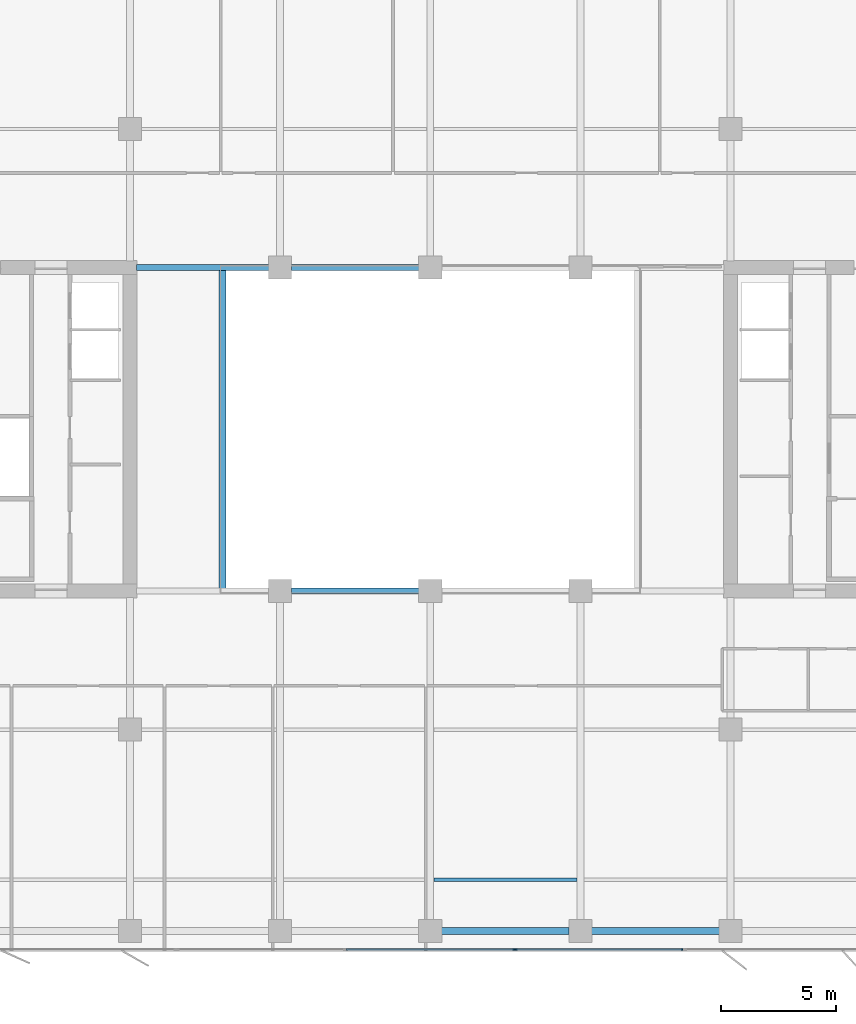
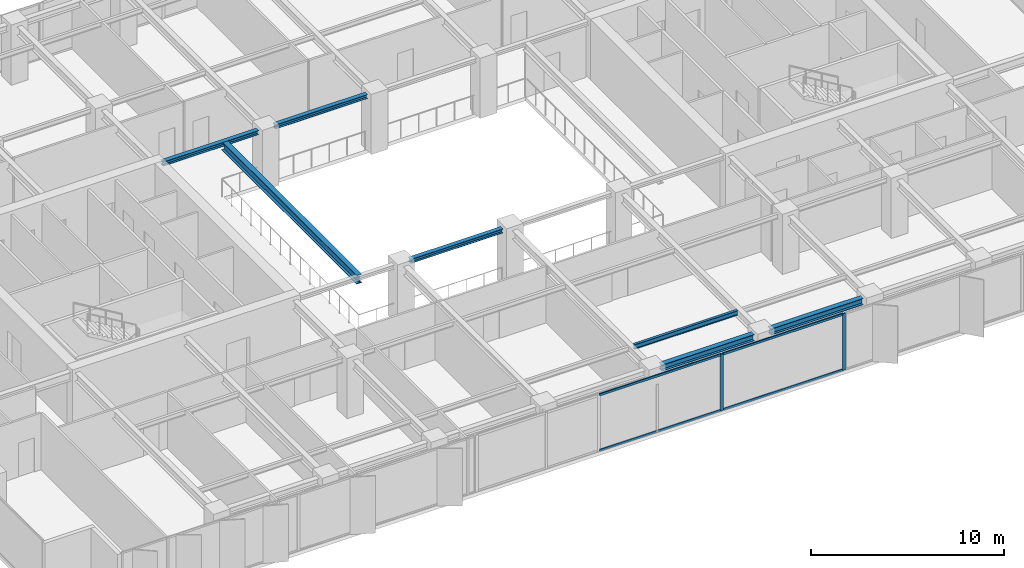
# One storey, part 5 of 22: 7 beams, 6 members, 1 element without a shape of its own.
"""IFC4 building model written with IfcOpenShell, lengths in metres."""

from ifc_helpers import new_model, si_unit, direction, frame, origin, origin_2d, place, context, subcontext, project, spatial, rectangle, i_section, extrude, material, layer, layer_set, material_profile, profile_set, type_object, element, aggregate, save


model = new_model("IFC4")

# Units and contexts
model_context = context("Model", 3, precision=1e-05, world=origin(), true_north=direction((0.0, 1.0)))
body_context = subcontext(model_context, "Body", "Model", "MODEL_VIEW")
ifc_project = project(units=[si_unit("LENGTHUNIT", "METRE"), si_unit("AREAUNIT", "SQUARE_METRE"), si_unit("VOLUMEUNIT", "CUBIC_METRE"), si_unit("PLANEANGLEUNIT", "RADIAN"), si_unit("MASSUNIT", "GRAM", prefix="KILO")], contexts=[model_context])

# Site, building, storey
site_placement = place(None, origin())
site = spatial("IfcSite", under=ifc_project, at=site_placement, CompositionType="ELEMENT")
building_placement = place(site_placement, origin())
building = spatial("IfcBuilding", under=site, at=building_placement, Name="Putna Gate Headquarters", CompositionType="ELEMENT")
storey_placement = place(building_placement, frame((0.0, 0.0, 178.39990234375)))
storey = spatial("IfcBuildingStorey", under=building, at=storey_placement, Name="L44", CompositionType="ELEMENT", Elevation=178.39990234375)

# Beams
ifc_material_1 = material(Name="Steel S355J2", Category="steel")
ifc_material_profile_1 = material_profile(ifc_material_1, i_section(OverallWidth=0.260009765625, OverallDepth=0.260009765625, WebThickness=0.010009765625, FlangeThickness=0.017578125, at=origin_2d()), Name="Steel S355J2")
ifc_profile_set_1 = profile_set([ifc_material_profile_1], Name="Steel S355J2")
beam_type_1 = type_object("IfcBeamType", Name="BM-ATRIUM-HEB260", PredefinedType="BEAM", material=ifc_profile_set_1)
beam_1_placement = place(storey_placement, frame((32.988037109375, 19.0, 3.442138671875), z_axis=(1.0, 0.0, 0.0), x_axis=(0.0, 1.0, 0.0)))
element("IfcBeam", 1, at=beam_1_placement, inside=storey, type_object=beam_type_1, Name="L44 Atrium Edge Beam AS2", PredefinedType="BEAM", context=body_context, shape_type="SweptSolid", body=[
    extrude(i_section(OverallWidth=0.260009765625, OverallDepth=0.260009765625, WebThickness=0.010009765625, FlangeThickness=0.017578125, at=origin_2d()), origin(), (0.0, 0.0, 1.0), 5.52392578125),
])
beam_2_placement = place(storey_placement, frame((26.284912109375, 33.0, 3.442138671875), z_axis=(1.0, 0.0, 0.0), x_axis=(0.0, 1.0, 0.0)))
element("IfcBeam", 2, at=beam_2_placement, inside=storey, type_object=beam_type_1, Name="L44 Atrium Edge Beam AN1", PredefinedType="BEAM", context=body_context, shape_type="SweptSolid", body=[
    extrude(i_section(OverallWidth=0.260009765625, OverallDepth=0.260009765625, WebThickness=0.010009765625, FlangeThickness=0.017578125, at=origin_2d()), origin(), (0.0, 0.0, 1.0), 5.72705078125),
])
beam_3_placement = place(storey_placement, frame((32.988037109375, 33.0, 3.442138671875), z_axis=(1.0, 0.0, 0.0), x_axis=(0.0, 1.0, 0.0)))
element("IfcBeam", 3, at=beam_3_placement, inside=storey, type_object=beam_type_1, Name="L44 Atrium Edge Beam AN2", PredefinedType="BEAM", context=body_context, shape_type="SweptSolid", body=[
    extrude(i_section(OverallWidth=0.260009765625, OverallDepth=0.260009765625, WebThickness=0.010009765625, FlangeThickness=0.017578125, at=origin_2d()), origin(), (0.0, 0.0, 1.0), 5.52392578125),
])
ifc_material_profile_2 = material_profile(ifc_material_1, i_section(OverallWidth=0.300048828125, OverallDepth=0.550048828125, WebThickness=0.014892578125, FlangeThickness=0.029052734375, at=origin_2d()), Name="Steel S355J2")
ifc_profile_set_2 = profile_set([ifc_material_profile_2], Name="Steel S355J2")
beam_type_2 = type_object("IfcBeamType", Name="BM-GIRD-Z3-HEB550", PredefinedType="USERDEFINED", material=ifc_profile_set_2)
beam_4_placement = place(storey_placement, frame((30.0, 19.010009765625, 3.297119140625), z_axis=(0.0, 1.0, 0.0), x_axis=(-1.0, 0.0, 0.0)))
element("IfcBeam", 4, at=beam_4_placement, inside=storey, type_object=beam_type_2, Name="L44 Atrium Trim Girder AW", ObjectType="GIRDER", PredefinedType="USERDEFINED", context=body_context, shape_type="SweptSolid", body=[
    extrude(i_section(OverallWidth=0.300048828125, OverallDepth=0.550048828125, WebThickness=0.014892578125, FlangeThickness=0.029052734375, at=origin_2d()), origin(), (0.0, 0.0, 1.0), 13.97998046875),
])
ifc_material_profile_3 = material_profile(ifc_material_1, i_section(OverallWidth=0.14990234375, OverallDepth=0.300048828125, WebThickness=0.007080078125, FlangeThickness=0.0107421875, at=origin_2d()), Name="Steel S355J2")
ifc_profile_set_3 = profile_set([ifc_material_profile_3], Name="Steel S355J2")
beam_type_3 = type_object("IfcBeamType", Name="BM-SEC-Z3-IPE300", PredefinedType="JOIST", material=ifc_profile_set_3)
beam_5_placement = place(storey_placement, frame((39.154052734375, 6.5, 3.422119140625), z_axis=(1.0, 0.0, 0.0), x_axis=(0.0, 1.0, 0.0)))
element("IfcBeam", 5, at=beam_5_placement, inside=storey, type_object=beam_type_3, Name="L44 South Secondary Beam 5", PredefinedType="JOIST", context=body_context, shape_type="SweptSolid", body=[
    extrude(i_section(OverallWidth=0.14990234375, OverallDepth=0.300048828125, WebThickness=0.007080078125, FlangeThickness=0.0107421875, at=origin_2d()), origin(), (0.0, 0.0, 1.0), 6.19189453125),
])
ifc_material_profile_4 = material_profile(ifc_material_1, i_section(OverallWidth=0.300048828125, OverallDepth=0.39990234375, WebThickness=0.013427734375, FlangeThickness=0.02392578125, at=origin_2d()), Name="Steel S355J2")
ifc_profile_set_4 = profile_set([ifc_material_profile_4], Name="Steel S355J2")
beam_type_4 = type_object("IfcBeamType", Name="BM-SPAN-Z3-HEB400", PredefinedType="SPANDREL", material=ifc_profile_set_4)
for number, where, z_axis, x_axis, name in (
    (6, (39.488037109375, 4.280029296875, 3.3720703125), (1.0, 0.0, 0.0), (0.0, 1.0, 0.0), "L44 S Perimeter Spandrel 5"),
    (7, (45.988037109375, 4.280029296875, 3.3720703125), (1.0, 0.0, 0.0), (0.0, 1.0, 0.0), "L44 S Perimeter Spandrel 6"),
):
    element("IfcBeam", number, at=place(storey_placement, frame(where, z_axis=z_axis, x_axis=x_axis)), inside=storey, type_object=beam_type_4, Name=name, PredefinedType="SPANDREL", context=body_context, shape_type="SweptSolid", body=[
        extrude(i_section(OverallWidth=0.300048828125, OverallDepth=0.39990234375, WebThickness=0.013427734375, FlangeThickness=0.02392578125, at=origin_2d()), origin(), (0.0, 0.0, 1.0), 5.52392578125),
    ])

# Curtain wall, members
ifc_material_2 = material(Name="Anodised bronze aluminium curtain wall", Category="aluminium")
ifc_layer = layer(ifc_material_2, 0.179931640625)
ifc_layer_set = layer_set([ifc_layer], Name="Anodised bronze aluminium curtain wall")
curtain_wall_type = type_object("IfcCurtainWallType", Name="CW-SYS-ATR", PredefinedType="USERDEFINED", material=ifc_layer_set)
curtain_wall_placement = place(storey_placement, origin())
curtain_wall = element("IfcCurtainWall", 8, at=curtain_wall_placement, inside=storey, type_object=curtain_wall_type, Name="L44 South Atrium Clear Glazing", ObjectType="ATRIUM GLAZING", PredefinedType="USERDEFINED")
ifc_material_3 = material(Name="Anodised bronze aluminium EN AW-6060", Category="aluminium")
ifc_material_profile_5 = material_profile(ifc_material_3, rectangle(XDim=0.070068359375, YDim=0.179931640625, at=origin_2d()), Name="Anodised bronze aluminium EN AW-6060")
ifc_profile_set_5 = profile_set([ifc_material_profile_5], Name="Anodised bronze aluminium EN AW-6060")
member_type_1 = type_object("IfcMemberType", Name="MULL-CWM-AT", PredefinedType="MULLION", material=ifc_profile_set_5)
member_1_placement = place(storey_placement, frame((42.666748046875, 3.47998046875, 0.0), z_axis=(0.0, 0.0, 1.0), x_axis=(0.0, 1.0, 0.0)))
member_1 = element("IfcMember", 9, at=member_1_placement, type_object=member_type_1, Name="CWS-AT mullion 3", PredefinedType="MULLION", context=body_context, shape_type="SweptSolid", body=[
    extrude(rectangle(XDim=0.070068359375, YDim=0.179931640625, at=origin_2d()), origin(), (0.0, 0.0, 1.0), 3.572021484375),
])
member_2_placement = place(storey_placement, frame((49.965087890625, 3.47998046875, 0.0), z_axis=(0.0, 0.0, 1.0), x_axis=(0.0, 1.0, 0.0)))
member_2 = element("IfcMember", 10, at=member_2_placement, type_object=member_type_1, Name="CWS-AT mullion 4", PredefinedType="MULLION", context=body_context, shape_type="SweptSolid", body=[
    extrude(rectangle(XDim=0.070068359375, YDim=0.179931640625, at=origin_2d()), origin(), (0.0, 0.0, 1.0), 3.572021484375),
])
ifc_material_profile_6 = material_profile(ifc_material_3, rectangle(XDim=0.070068359375, YDim=0.139892578125, at=origin_2d()), Name="Anodised bronze aluminium EN AW-6060")
ifc_profile_set_6 = profile_set([ifc_material_profile_6], Name="Anodised bronze aluminium EN AW-6060")
member_type_2 = type_object("IfcMemberType", Name="TRAN-CWT-AT", PredefinedType="USERDEFINED", material=ifc_profile_set_6)
member_3_placement = place(storey_placement, frame((35.368408203125, 3.47998046875, 0.03515625), z_axis=(1.0, 0.0, 0.0), x_axis=(0.0, 1.0, 0.0)))
member_3 = element("IfcMember", 11, at=member_3_placement, type_object=member_type_2, Name="CWS-AT transom 2.1", ObjectType="TRANSOM", PredefinedType="USERDEFINED", context=body_context, shape_type="SweptSolid", body=[
    extrude(rectangle(XDim=0.070068359375, YDim=0.139892578125, at=origin_2d()), origin(), (0.0, 0.0, 1.0), 7.26318359375),
])
member_4_placement = place(storey_placement, frame((35.368408203125, 3.47998046875, 3.537109375), z_axis=(1.0, 0.0, 0.0), x_axis=(0.0, 1.0, 0.0)))
member_4 = element("IfcMember", 12, at=member_4_placement, type_object=member_type_2, Name="CWS-AT transom 2.2", ObjectType="TRANSOM", PredefinedType="USERDEFINED", context=body_context, shape_type="SweptSolid", body=[
    extrude(rectangle(XDim=0.070068359375, YDim=0.139892578125, at=origin_2d()), origin(), (0.0, 0.0, 1.0), 7.26318359375),
])
member_5_placement = place(storey_placement, frame((42.70166015625, 3.47998046875, 0.03515625), z_axis=(1.0, 0.0, 0.0), x_axis=(0.0, 1.0, 0.0)))
member_5 = element("IfcMember", 13, at=member_5_placement, type_object=member_type_2, Name="CWS-AT transom 3.1", ObjectType="TRANSOM", PredefinedType="USERDEFINED", context=body_context, shape_type="SweptSolid", body=[
    extrude(rectangle(XDim=0.070068359375, YDim=0.139892578125, at=origin_2d()), origin(), (0.0, 0.0, 1.0), 7.228271484375),
])
member_6_placement = place(storey_placement, frame((42.70166015625, 3.47998046875, 3.537109375), z_axis=(1.0, 0.0, 0.0), x_axis=(0.0, 1.0, 0.0)))
member_6 = element("IfcMember", 14, at=member_6_placement, type_object=member_type_2, Name="CWS-AT transom 3.2", ObjectType="TRANSOM", PredefinedType="USERDEFINED", context=body_context, shape_type="SweptSolid", body=[
    extrude(rectangle(XDim=0.070068359375, YDim=0.139892578125, at=origin_2d()), origin(), (0.0, 0.0, 1.0), 7.228271484375),
])
aggregate(curtain_wall, [member_1, member_2, member_3, member_4, member_5, member_6])

save(model, "model.ifc")
